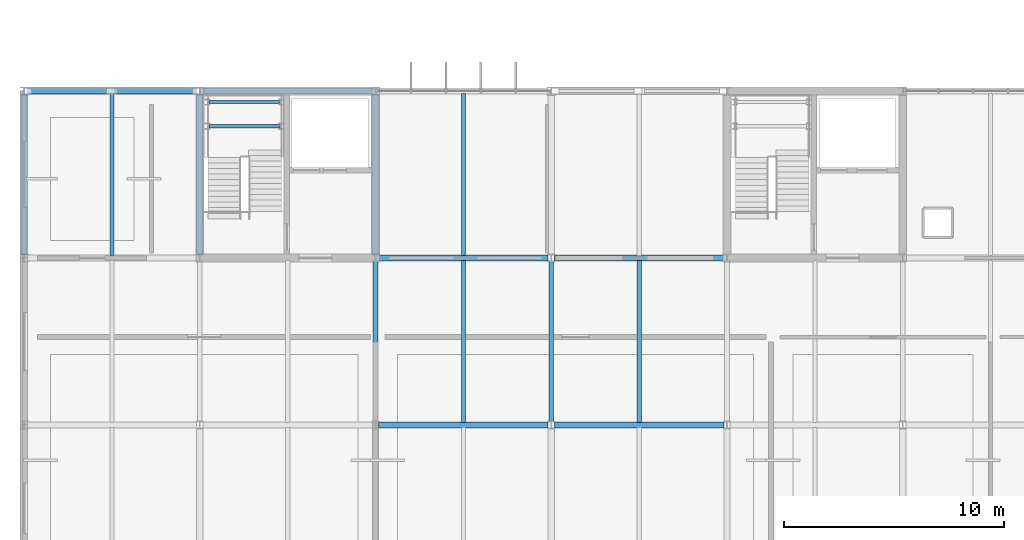
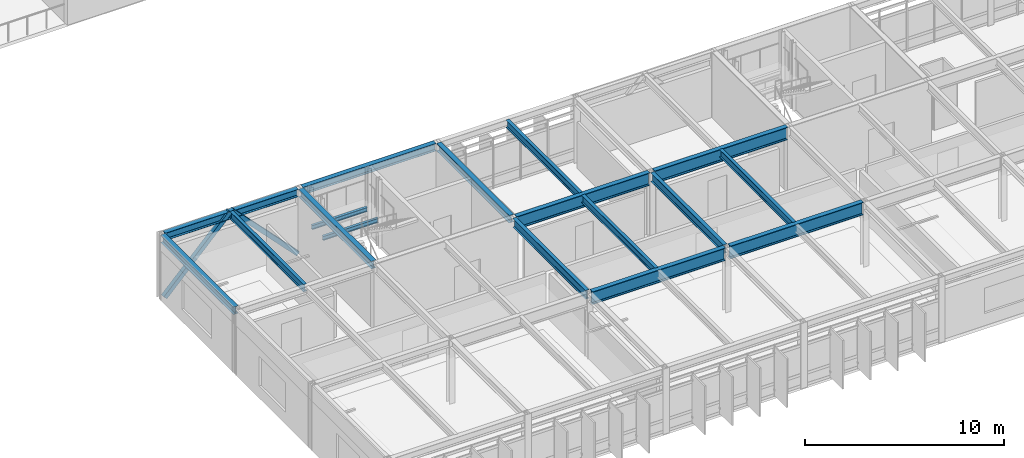
# One storey, part 13 of 33: 17 beams, 2 members.
"""IFC4 building model written with IfcOpenShell, lengths in metres."""

import ifcopenshell
import ifcopenshell.guid

model = None  # the IFC model being written
_history = None  # IfcOwnerHistory: only IFC2X3 demands one
_inside = {}  # id of a spatial element -> (the spatial element, [elements in it])
_under = {}  # id of a project, library or spatial element -> (it, [spatial elements below it])
_declared = {}  # id of a project -> (the project, [libraries it declares])
_typed = {}  # id of a type object -> (the type object, [elements of that type])
_made_of = {}  # id of a material, layer set ... -> (it, [elements and type objects made of it])


def new_model(schema):
    """Start an empty IFC model of exactly this schema.

    Asked for "IFC4X3", IfcOpenShell would pick the latest addendum, in which some entities
    have other attributes; the version numbers below select the first issue.
    IFC2X3 requires an IfcOwnerHistory on every rooted entity: one is made here for all.
    """
    global model, _history
    if schema == "IFC4X3":
        model = ifcopenshell.file(schema_version=(4, 3, 0, 0))
    else:
        model = ifcopenshell.file(schema=schema)
    _inside.clear()
    _under.clear()
    _declared.clear()
    _typed.clear()
    _made_of.clear()
    _history = None
    if model.schema == "IFC2X3":
        org = make("IfcOrganization", Name="unknown")
        user = make(
            "IfcPersonAndOrganization",
            ThePerson=make("IfcPerson", FamilyName="unknown"),
            TheOrganization=org,
        )
        app = make(
            "IfcApplication",
            ApplicationDeveloper=org,
            Version="unknown",
            ApplicationFullName="unknown",
            ApplicationIdentifier="unknown",
        )
        _history = make(
            "IfcOwnerHistory",
            OwningUser=user,
            OwningApplication=app,
            ChangeAction="ADDED",
            CreationDate=0,
        )
    return model


def make(cls, **values):
    """One entity of the class cls with the attributes given. An attribute that is None is left unset."""
    return model.create_entity(
        cls, **{name: value for name, value in values.items() if value is not None}
    )


def rooted(cls, **values):
    """An entity with a GlobalId (a new one), such as an element, a storey or a relation."""
    return make(cls, GlobalId=ifcopenshell.guid.new(), OwnerHistory=_history, **values)


def si_unit(unit_type, name, prefix=None):
    """IfcSIUnit, for example si_unit("LENGTHUNIT", "METRE", prefix="MILLI")."""
    return make("IfcSIUnit", UnitType=unit_type, Prefix=prefix, Name=name)


def assignment(units):
    """IfcUnitAssignment: the units of a project."""
    return None if units is None else make("IfcUnitAssignment", Units=units)


def point(xyz):
    """IfcCartesianPoint."""
    return None if xyz is None else make("IfcCartesianPoint", Coordinates=xyz)


def direction(xyz):
    """IfcDirection."""
    return None if xyz is None else make("IfcDirection", DirectionRatios=xyz)


def frame(location, z_axis=None, x_axis=None):
    """IfcAxis2Placement3D, a coordinate frame: its origin and axes. An axis left out is left unset."""
    return make(
        "IfcAxis2Placement3D",
        Location=point(location),
        Axis=direction(z_axis),
        RefDirection=direction(x_axis),
    )


def frame_2d(location, x_axis=None):
    """IfcAxis2Placement2D, a coordinate frame in the plane: its origin and x axis."""
    return make(
        "IfcAxis2Placement2D", Location=point(location), RefDirection=direction(x_axis)
    )


def origin():
    """The frame at (0, 0, 0) with its axes left unset."""
    return frame((0.0, 0.0, 0.0))


def origin_2d():
    """The frame at (0, 0) in the plane with its x axis left unset."""
    return frame_2d((0.0, 0.0))


def place(relative_to, where):
    """IfcLocalPlacement: puts the frame where relative to a parent placement (None: the world)."""
    return make(
        "IfcLocalPlacement", PlacementRelTo=relative_to, RelativePlacement=where
    )


def context(
    kind, dimensions, precision=None, world=None, true_north=None, identifier=None
):
    """IfcGeometricRepresentationContext, for example the 3D "Model" context."""
    return make(
        "IfcGeometricRepresentationContext",
        ContextIdentifier=identifier,
        ContextType=kind,
        CoordinateSpaceDimension=dimensions,
        Precision=precision,
        WorldCoordinateSystem=world,
        TrueNorth=true_north,
    )


def subcontext(parent, identifier, kind, view, scale=None):
    """IfcGeometricRepresentationSubContext, for example "Body" below "Model"."""
    return make(
        "IfcGeometricRepresentationSubContext",
        ContextIdentifier=identifier,
        ContextType=kind,
        ParentContext=parent,
        TargetScale=scale,
        TargetView=view,
    )


def project(units=None, contexts=None):
    """IfcProject with its units and contexts."""
    return rooted(
        "IfcProject",
        Name="project",
        RepresentationContexts=contexts,
        UnitsInContext=assignment(units),
    )


def spatial(cls, under=None, at=None, **own):
    """A site, building, storey or space (cls), placed at a placement, below another one or the project."""
    s = rooted(cls, ObjectPlacement=at, **own)
    if under is not None:
        _under.setdefault(under.id(), (under, []))[1].append(s)
    return s


def profile(cls, at=None, kind="AREA", **sizes):
    """A parametric profile (cls). Its sizes go by their IFC names, for example OverallWidth=200.0."""
    return make(cls, ProfileType=kind, Position=at, **sizes)


def hollow_rectangle(**sizes):
    """IfcRectangleHollowProfileDef."""
    return profile("IfcRectangleHollowProfileDef", **sizes)


def i_section(**sizes):
    """IfcIShapeProfileDef."""
    return profile("IfcIShapeProfileDef", **sizes)


def extrude(swept, where, along, depth):
    """IfcExtrudedAreaSolid: the profile swept, set in the frame where, extruded along a direction by depth."""
    return make(
        "IfcExtrudedAreaSolid",
        SweptArea=swept,
        Position=where,
        ExtrudedDirection=direction(along),
        Depth=depth,
    )


def shape(context_of_items, identifier, shape_type, items):
    """IfcShapeRepresentation: the items that make up one representation, for example the "Body"."""
    return make(
        "IfcShapeRepresentation",
        ContextOfItems=context_of_items,
        RepresentationIdentifier=identifier,
        RepresentationType=shape_type,
        Items=items,
    )


def material(Name=None, Category=None):
    """IfcMaterial."""
    return make("IfcMaterial", Name=Name, Category=Category)


def material_profile(
    of_material, cross_section, Name=None, Category=None, Priority=None
):
    """IfcMaterialProfile: a cross section and its material."""
    return make(
        "IfcMaterialProfile",
        Name=Name,
        Material=of_material,
        Profile=cross_section,
        Priority=Priority,
        Category=Category,
    )


def profile_set(profiles, Name=None, composite=None):
    """IfcMaterialProfileSet."""
    return make(
        "IfcMaterialProfileSet",
        Name=Name,
        MaterialProfiles=profiles,
        CompositeProfile=composite,
    )


def made_of(thing, what):
    """Note that an element or type object is made of a material, layer set ...; save() writes the relation."""
    if what is not None:
        _made_of.setdefault(what.id(), (what, []))[1].append(thing)
    return thing


def type_object(cls, material=None, **own):
    """A type object (cls), such as IfcWallType, which elements share."""
    return made_of(rooted(cls, **own), material)


def element(
    cls,
    number,
    at=None,
    inside=None,
    cuts=None,
    type_object=None,
    material=None,
    context=None,
    identifier="Body",
    shape_type=None,
    held_by="IfcProductDefinitionShape",
    body=None,
    shapes=None,
    **own,
):
    """One element of the class cls, such as IfcWall. Its Tag is "e" and its number.

    at: its placement. inside: the storey or other place that contains it. cuts: it is an
    opening in that element (IfcRelVoidsElement). A single representation is given by context,
    identifier, shape_type and body (its items); several are given by shapes. held_by: the class
    of the entity that holds the representations. save() writes the other relations.
    """
    e = rooted(cls, Tag="e%d" % number, ObjectPlacement=at, **own)
    if body is not None:
        shapes = [shape(context, identifier, shape_type, body)]
    if shapes is not None:
        e.Representation = make(held_by, Representations=shapes)
    if inside is not None:
        _inside.setdefault(inside.id(), (inside, []))[1].append(e)
    if cuts is not None:
        rooted(
            "IfcRelVoidsElement", RelatingBuildingElement=cuts, RelatedOpeningElement=e
        )
    if type_object is not None:
        _typed.setdefault(type_object.id(), (type_object, []))[1].append(e)
    return made_of(e, material)


def aggregate(whole, parts):
    """IfcRelAggregates: a whole, such as a stair, and the parts it consists of."""
    return rooted("IfcRelAggregates", RelatingObject=whole, RelatedObjects=parts)


def save(model, path):
    """Write the relations noted so far, then the file.

    IfcRelAggregates (storeys below a building ...), IfcRelContainedInSpatialStructure (elements
    in a storey), IfcRelDefinesByType, IfcRelAssociatesMaterial and IfcRelDeclares: one each for
    every whole, place, type object, material and project.
    """
    for whole, parts in _under.values():
        aggregate(whole, parts)
    for where, things in _inside.values():
        rooted(
            "IfcRelContainedInSpatialStructure",
            RelatedElements=things,
            RelatingStructure=where,
        )
    for kind, things in _typed.values():
        rooted("IfcRelDefinesByType", RelatedObjects=things, RelatingType=kind)
    for what, things in _made_of.values():
        rooted("IfcRelAssociatesMaterial", RelatedObjects=things, RelatingMaterial=what)
    for by, libraries in _declared.values():
        rooted("IfcRelDeclares", RelatingContext=by, RelatedDefinitions=libraries)
    model.write(path)


model = new_model("IFC4")

# Units and contexts
model_context = context("Model", 3, precision=1e-05, world=origin(), true_north=direction((0.0, 1.0)))
body_context = subcontext(model_context, "Body", "Model", "MODEL_VIEW")
ifc_project = project(units=[si_unit("LENGTHUNIT", "METRE"), si_unit("AREAUNIT", "SQUARE_METRE"), si_unit("VOLUMEUNIT", "CUBIC_METRE"), si_unit("PLANEANGLEUNIT", "RADIAN"), si_unit("MASSUNIT", "GRAM", prefix="KILO")], contexts=[model_context])

# Site, building, storey
site_placement = place(None, origin())
site = spatial("IfcSite", under=ifc_project, at=site_placement, CompositionType="ELEMENT")
building_placement = place(site_placement, origin())
building = spatial("IfcBuilding", under=site, at=building_placement, Name="Zulena Civic Courthouse", CompositionType="ELEMENT")
storey_placement = place(building_placement, frame((0.0, 0.0, 33.60009765625)))
storey = spatial("IfcBuildingStorey", under=building, at=storey_placement, Name="L07", CompositionType="ELEMENT", Elevation=33.60009765625)

# Members
ifc_material_1 = material(Name="Steel ASTM A500 Grade C", Category="steel")
ifc_material_profile_1 = material_profile(ifc_material_1, hollow_rectangle(XDim=0.25390625, YDim=0.25390625, WallThickness=0.01171875, at=origin_2d()), Name="HSS10X10X1/2")
ifc_profile_set_1 = profile_set([ifc_material_profile_1], Name="Steel ASTM A500 Grade C")
member_type = type_object("IfcMemberType", Name="Brace_HSS10", PredefinedType="BRACE", material=ifc_profile_set_1)
for number, where, z_axis, x_axis, name in (
    (1, (12.14990234375, 22.800048828125, 0.010009765625), (0.693300076266, 0.0, 0.720649015992), (0.0, 1.0, 0.0), "brace:V2:L07:0:0"),
    (2, (19.85009765625, 22.800048828125, 0.010009765625), (-0.693300076266, 0.0, 0.720649015992), (0.0, -1.0, 0.0), "brace:V2:L07:0:1"),
):
    element("IfcMember", number, at=place(storey_placement, frame(where, z_axis=z_axis, x_axis=x_axis)), inside=storey, type_object=member_type, Name=name, PredefinedType="BRACE", context=body_context, shape_type="SweptSolid", body=[
        extrude(hollow_rectangle(XDim=0.25390625, YDim=0.25390625, WallThickness=0.01171875, at=origin_2d()), origin(), (0.0, 0.0, 1.0), 5.481201171875),
    ])

# Beams
ifc_material_2 = material(Name="Steel ASTM A992 Grade 50", Category="steel")
ifc_material_profile_2 = material_profile(ifc_material_2, i_section(OverallWidth=0.2099609375, OverallDepth=0.537109375, WebThickness=0.010986328125, FlangeThickness=0.017333984375, FilletRadius=0.0126953125, at=origin_2d()), Name="W21X68")
ifc_profile_set_2 = profile_set([ifc_material_profile_2], Name="Steel ASTM A992 Grade 50")
beam_type_1 = type_object("IfcBeamType", Name="Girder_W21X68", PredefinedType="BEAM", material=ifc_profile_set_2)
for number, where, z_axis, x_axis, name in (
    (3, (28.0, 7.7451171875, 3.7314453125), (0.0, 1.0, 0.0), (-1.0, 0.0, 0.0), "beam:Y:V2:L07:28.0:7.6_15.2"),
    (4, (36.0, 7.7451171875, 3.7314453125), (0.0, 1.0, 0.0), (-1.0, 0.0, 0.0), "beam:Y:V2:L07:36.0:7.6_15.2"),
):
    element("IfcBeam", number, at=place(storey_placement, frame(where, z_axis=z_axis, x_axis=x_axis)), inside=storey, type_object=beam_type_1, Name=name, PredefinedType="BEAM", context=body_context, shape_type="SweptSolid", body=[
        extrude(i_section(OverallWidth=0.2099609375, OverallDepth=0.537109375, WebThickness=0.010986328125, FlangeThickness=0.017333984375, FilletRadius=0.0126953125, at=origin_2d()), origin(), (0.0, 0.0, 1.0), 7.309814453125),
    ])
ifc_material_profile_3 = material_profile(ifc_material_2, i_section(OverallWidth=0.26611328125, OverallDepth=0.779052734375, WebThickness=0.0166015625, FlangeThickness=0.030029296875, FilletRadius=0.0166015625, at=origin_2d()), Name="W30X148")
ifc_profile_set_3 = profile_set([ifc_material_profile_3], Name="Steel ASTM A992 Grade 50")
beam_type_2 = type_object("IfcBeamType", Name="Girder_W30X148", PredefinedType="BEAM", material=ifc_profile_set_3)
for number, where, z_axis, x_axis, name in (
    (5, (28.14501953125, 7.60009765625, 3.6103515625), (1.0, 0.0, 0.0), (0.0, 1.0, 0.0), "beam:X:V2:L07:7.6:28.0_36.0"),
    (6, (36.14501953125, 7.60009765625, 3.6103515625), (1.0, 0.0, 0.0), (0.0, 1.0, 0.0), "beam:X:V2:L07:7.6:36.0_44.0"),
    (7, (28.14501953125, 15.199951171875, 3.6103515625), (1.0, 0.0, 0.0), (0.0, 1.0, 0.0), "beam:X:V2:L07:15.2:28.0_36.0"),
    (8, (36.14501953125, 15.199951171875, 3.6103515625), (1.0, 0.0, 0.0), (0.0, 1.0, 0.0), "beam:X:V2:L07:15.2:36.0_44.0"),
):
    element("IfcBeam", number, at=place(storey_placement, frame(where, z_axis=z_axis, x_axis=x_axis)), inside=storey, type_object=beam_type_2, Name=name, PredefinedType="BEAM", context=body_context, shape_type="SweptSolid", body=[
        extrude(i_section(OverallWidth=0.26611328125, OverallDepth=0.779052734375, WebThickness=0.0166015625, FlangeThickness=0.030029296875, FilletRadius=0.0166015625, at=origin_2d()), origin(), (0.0, 0.0, 1.0), 7.7099609375),
    ])
ifc_material_profile_4 = material_profile(ifc_material_2, i_section(OverallWidth=0.14599609375, OverallDepth=0.258056640625, WebThickness=0.006103515625, FlangeThickness=0.009033203125, FilletRadius=0.007568359375, at=origin_2d()), Name="W10X22")
ifc_profile_set_4 = profile_set([ifc_material_profile_4], Name="Steel ASTM A992 Grade 50")
beam_type_3 = type_object("IfcBeamType", Name="Joist_W10X22", PredefinedType="JOIST", material=ifc_profile_set_4)
for number, where, z_axis, x_axis, name in (
    (9, (20.419921875, 21.199951171875, 1.69091796875), (1.0, 0.0, 0.0), (0.0, 1.0, 0.0), "beam:lnd:K2A:L07:0"),
    (10, (20.419921875, 22.300048828125, 1.69091796875), (1.0, 0.0, 0.0), (0.0, 1.0, 0.0), "beam:lnd:K2A:L07:1"),
):
    element("IfcBeam", number, at=place(storey_placement, frame(where, z_axis=z_axis, x_axis=x_axis)), inside=storey, type_object=beam_type_3, Name=name, PredefinedType="JOIST", context=body_context, shape_type="SweptSolid", body=[
        extrude(i_section(OverallWidth=0.14599609375, OverallDepth=0.258056640625, WebThickness=0.006103515625, FlangeThickness=0.009033203125, FilletRadius=0.007568359375, at=origin_2d()), origin(), (0.0, 0.0, 1.0), 3.2001953125),
    ])
ifc_material_profile_5 = material_profile(ifc_material_2, i_section(OverallWidth=0.19091796875, OverallDepth=0.4599609375, WebThickness=0.010009765625, FlangeThickness=0.01611328125, FilletRadius=0.01025390625, at=origin_2d()), Name="W18X55")
ifc_profile_set_5 = profile_set([ifc_material_profile_5], Name="Steel ASTM A992 Grade 50")
beam_type_4 = type_object("IfcBeamType", Name="Joist_W18X55", PredefinedType="JOIST", material=ifc_profile_set_5)
beam_1_placement = place(storey_placement, frame((16.0, 15.304931640625, 3.760009765625), z_axis=(0.0, 1.0, 0.0), x_axis=(-1.0, 0.0, 0.0)))
element("IfcBeam", 11, at=beam_1_placement, inside=storey, type_object=beam_type_4, Name="joist:V2:L07:16.00:15.2_22.8", PredefinedType="JOIST", context=body_context, shape_type="SweptSolid", body=[
    extrude(i_section(OverallWidth=0.19091796875, OverallDepth=0.4599609375, WebThickness=0.010009765625, FlangeThickness=0.01611328125, FilletRadius=0.01025390625, at=origin_2d()), origin(), (0.0, 0.0, 1.0), 7.39013671875),
])
beam_2_placement = place(storey_placement, frame((32.0, 7.705078125, 3.77001953125), z_axis=(0.0, 1.0, 0.0), x_axis=(-1.0, 0.0, 0.0)))
element("IfcBeam", 12, at=beam_2_placement, inside=storey, type_object=beam_type_4, Name="joist:V2:L07:32.00:7.6_15.2", PredefinedType="JOIST", context=body_context, shape_type="SweptSolid", body=[
    extrude(i_section(OverallWidth=0.19091796875, OverallDepth=0.4599609375, WebThickness=0.010009765625, FlangeThickness=0.01611328125, FilletRadius=0.01025390625, at=origin_2d()), origin(), (0.0, 0.0, 1.0), 7.389892578125),
])
beam_3_placement = place(storey_placement, frame((32.0, 15.304931640625, 3.77001953125), z_axis=(0.0, 1.0, 0.0), x_axis=(-1.0, 0.0, 0.0)))
element("IfcBeam", 13, at=beam_3_placement, inside=storey, type_object=beam_type_4, Name="joist:V2:L07:32.00:15.2_22.8", PredefinedType="JOIST", context=body_context, shape_type="SweptSolid", body=[
    extrude(i_section(OverallWidth=0.19091796875, OverallDepth=0.4599609375, WebThickness=0.010009765625, FlangeThickness=0.01611328125, FilletRadius=0.01025390625, at=origin_2d()), origin(), (0.0, 0.0, 1.0), 7.39013671875),
])
beam_4_placement = place(storey_placement, frame((40.0, 7.705078125, 3.77001953125), z_axis=(0.0, 1.0, 0.0), x_axis=(-1.0, 0.0, 0.0)))
element("IfcBeam", 14, at=beam_4_placement, inside=storey, type_object=beam_type_4, Name="joist:V2:L07:40.00:7.6_15.2", PredefinedType="JOIST", context=body_context, shape_type="SweptSolid", body=[
    extrude(i_section(OverallWidth=0.19091796875, OverallDepth=0.4599609375, WebThickness=0.010009765625, FlangeThickness=0.01611328125, FilletRadius=0.01025390625, at=origin_2d()), origin(), (0.0, 0.0, 1.0), 7.389892578125),
])
ifc_material_profile_6 = material_profile(ifc_material_2, i_section(OverallWidth=0.280029296875, OverallDepth=0.462890625, WebThickness=0.0107421875, FlangeThickness=0.017333984375, FilletRadius=0.01025390625, at=origin_2d()), Name="W18X76")
ifc_profile_set_6 = profile_set([ifc_material_profile_6], Name="Steel ASTM A992 Grade 50")
beam_type_5 = type_object("IfcBeamType", Name="Spandrel_W18X76", PredefinedType="SPANDREL", material=ifc_profile_set_6)
for number, where, z_axis, x_axis, name in (
    (15, (12.14501953125, 22.800048828125, 3.75830078125), (1.0, 0.0, 0.0), (0.0, 1.0, 0.0), "beam:X:V2:L07:22.8:12.0_20.0"),
    (16, (20.14501953125, 22.800048828125, 3.768310546875), (1.0, 0.0, 0.0), (0.0, 1.0, 0.0), "beam:X:V2:L07:22.8:20.0_28.0"),
):
    element("IfcBeam", number, at=place(storey_placement, frame(where, z_axis=z_axis, x_axis=x_axis)), inside=storey, type_object=beam_type_5, Name=name, PredefinedType="SPANDREL", context=body_context, shape_type="SweptSolid", body=[
        extrude(i_section(OverallWidth=0.280029296875, OverallDepth=0.462890625, WebThickness=0.0107421875, FlangeThickness=0.017333984375, FilletRadius=0.01025390625, at=origin_2d()), origin(), (0.0, 0.0, 1.0), 7.7099609375),
    ])
for number, where, z_axis, x_axis, name in (
    (17, (12.0, 15.344970703125, 3.75830078125), (0.0, 1.0, 0.0), (-1.0, 0.0, 0.0), "beam:Y:V2:L07:12.0:15.2_22.8"),
    (18, (20.0, 15.344970703125, 3.75830078125), (0.0, 1.0, 0.0), (-1.0, 0.0, 0.0), "beam:Y:V2:L07:20.0:15.2_22.8"),
    (19, (28.0, 15.344970703125, 3.768310546875), (0.0, 1.0, 0.0), (-1.0, 0.0, 0.0), "beam:Y:V2:L07:28.0:15.2_22.8"),
):
    element("IfcBeam", number, at=place(storey_placement, frame(where, z_axis=z_axis, x_axis=x_axis)), inside=storey, type_object=beam_type_5, Name=name, PredefinedType="SPANDREL", context=body_context, shape_type="SweptSolid", body=[
        extrude(i_section(OverallWidth=0.280029296875, OverallDepth=0.462890625, WebThickness=0.0107421875, FlangeThickness=0.017333984375, FilletRadius=0.01025390625, at=origin_2d()), origin(), (0.0, 0.0, 1.0), 7.31005859375),
    ])

save(model, "model.ifc")
